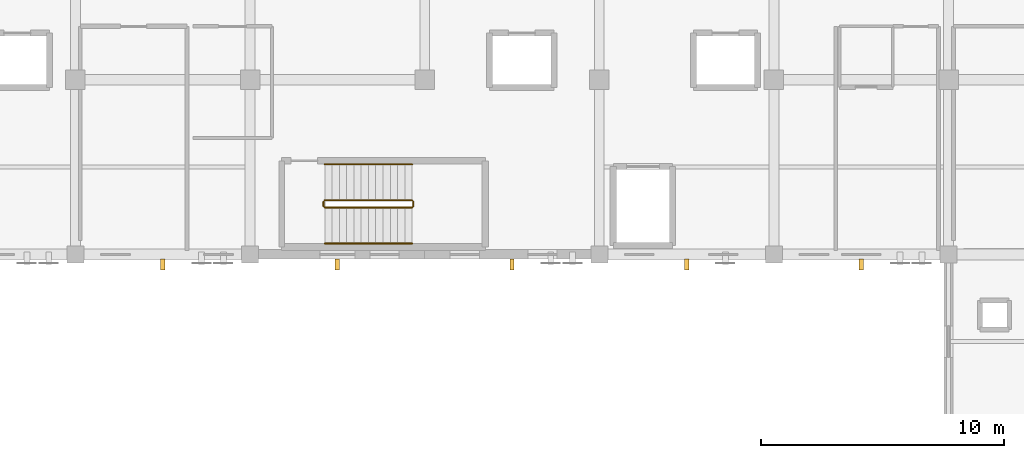
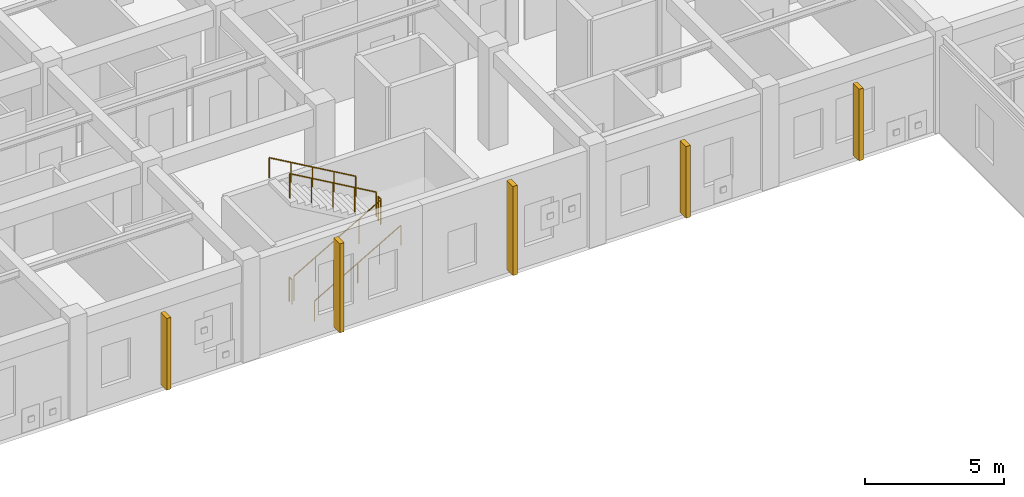
# One storey, part 101 of 106: 6 railings, 5 shading devices.
"""IFC4 building model written with IfcOpenShell, lengths in metres."""

from ifc_helpers import new_model, si_unit, direction, frame, origin, origin_2d, place, context, subcontext, project, spatial, rectangle, circle, extrude, material, layer, layer_set, type_object, element, save


model = new_model("IFC4")

# Units and contexts
model_context = context("Model", 3, precision=1e-05, world=origin(), true_north=direction((0.0, 1.0)))
body_context = subcontext(model_context, "Body", "Model", "MODEL_VIEW")
ifc_project = project(units=[si_unit("LENGTHUNIT", "METRE"), si_unit("AREAUNIT", "SQUARE_METRE"), si_unit("VOLUMEUNIT", "CUBIC_METRE"), si_unit("PLANEANGLEUNIT", "RADIAN"), si_unit("MASSUNIT", "GRAM", prefix="KILO")], contexts=[model_context])

# Site, building, storey
site_placement = place(None, origin())
site = spatial("IfcSite", under=ifc_project, at=site_placement, CompositionType="ELEMENT")
building_placement = place(site_placement, origin())
building = spatial("IfcBuilding", under=site, at=building_placement, Name="Carrowvane Square Congress Hotel", CompositionType="ELEMENT")
storey_placement = place(building_placement, frame((0.0, 0.0, 10.5)))
storey = spatial("IfcBuildingStorey", under=building, at=storey_placement, Name="L02", CompositionType="ELEMENT", Elevation=10.5)

# Railings
ifc_material_1 = material(Name="Stainless steel 316", Category="steel")
ifc_layer_1 = layer(ifc_material_1, 0.048095703125)
ifc_layer_set_1 = layer_set([ifc_layer_1], Name="Stainless steel 316")
railing_type_1 = type_object("IfcRailingType", Name="RLG-HR-900", PredefinedType="HANDRAIL", material=ifc_layer_set_1)
railing_1_placement = place(storey_placement, frame((101.080078125, 92.25, 0.173095703125)))
element("IfcRailing", 1, at=railing_1_placement, inside=storey, type_object=railing_type_1, Name="L02 ST3 stair handrail 1", PredefinedType="HANDRAIL", context=body_context, shape_type="SweptSolid", body=[
    extrude(circle(Radius=0.02392578125, at=origin_2d()), frame((0.0, 0.0, 0.8759765625), z_axis=(0.866178740119, 0.0, 0.499734319579), x_axis=(0.0, 1.0, 0.0)), (0.0, 0.0, 1.0), 4.156005859375),
    extrude(circle(Radius=0.02099609375, at=origin_2d()), origin(), (0.0, 0.0, 1.0), 0.851806640625),
    extrude(circle(Radius=0.02099609375, at=origin_2d()), frame((0.89990234375, 0.0, 0.519287109375)), (0.0, 0.0, 1.0), 0.851806640625),
    extrude(circle(Radius=0.02099609375, at=origin_2d()), frame((1.7998046875, 0.0, 1.03857421875)), (0.0, 0.0, 1.0), 0.851806640625),
    extrude(circle(Radius=0.02099609375, at=origin_2d()), frame((2.699951171875, 0.0, 1.5576171875)), (0.0, 0.0, 1.0), 0.851806640625),
    extrude(circle(Radius=0.02099609375, at=origin_2d()), frame((3.599853515625, 0.0, 2.076904296875)), (0.0, 0.0, 1.0), 0.851806640625),
])
railing_2_placement = place(storey_placement, frame((104.679931640625, 95.510009765625, 2.423095703125)))
element("IfcRailing", 2, at=railing_2_placement, inside=storey, type_object=railing_type_1, Name="L02 ST3 stair handrail 2", PredefinedType="HANDRAIL", context=body_context, shape_type="SweptSolid", body=[
    extrude(circle(Radius=0.02392578125, at=origin_2d()), frame((0.0, 0.0, 0.8759765625), z_axis=(-0.866178740119, 0.0, 0.499734319579), x_axis=(0.0, -1.0, 0.0)), (0.0, 0.0, 1.0), 4.156005859375),
    extrude(circle(Radius=0.02099609375, at=origin_2d()), origin(), (0.0, 0.0, 1.0), 0.851806640625),
    extrude(circle(Radius=0.02099609375, at=origin_2d()), frame((-0.89990234375, 0.0, 0.519287109375)), (0.0, 0.0, 1.0), 0.851806640625),
    extrude(circle(Radius=0.02099609375, at=origin_2d()), frame((-1.7998046875, 0.0, 1.03857421875)), (0.0, 0.0, 1.0), 0.851806640625),
    extrude(circle(Radius=0.02099609375, at=origin_2d()), frame((-2.699951171875, 0.0, 1.5576171875)), (0.0, 0.0, 1.0), 0.851806640625),
    extrude(circle(Radius=0.02099609375, at=origin_2d()), frame((-3.599853515625, 0.0, 2.076904296875)), (0.0, 0.0, 1.0), 0.851806640625),
])
ifc_material_2 = material(Name="Galvanised steel", Category="steel")
ifc_layer_2 = layer(ifc_material_2, 0.048095703125)
ifc_layer_set_2 = layer_set([ifc_layer_2], Name="Galvanised steel")
railing_type_2 = type_object("IfcRailingType", Name="RLG-STG-1100", PredefinedType="GUARDRAIL", material=ifc_layer_set_2)
railing_3_placement = place(storey_placement, frame((101.080078125, 93.72998046875, 0.173095703125)))
element("IfcRailing", 3, at=railing_3_placement, inside=storey, type_object=railing_type_2, Name="L02 ST3 stair guard 1", PredefinedType="GUARDRAIL", context=body_context, shape_type="SweptSolid", body=[
    extrude(circle(Radius=0.02392578125, at=origin_2d()), frame((0.0, 0.0, 1.076171875), z_axis=(0.866178740119, 0.0, 0.499734319579), x_axis=(0.0, 1.0, 0.0)), (0.0, 0.0, 1.0), 4.156005859375),
    extrude(circle(Radius=0.02099609375, at=origin_2d()), origin(), (0.0, 0.0, 1.0), 1.052001953125),
    extrude(circle(Radius=0.02099609375, at=origin_2d()), frame((0.89990234375, 0.0, 0.519287109375)), (0.0, 0.0, 1.0), 1.052001953125),
    extrude(circle(Radius=0.02099609375, at=origin_2d()), frame((1.7998046875, 0.0, 1.03857421875)), (0.0, 0.0, 1.0), 1.052001953125),
    extrude(circle(Radius=0.02099609375, at=origin_2d()), frame((2.699951171875, 0.0, 1.5576171875)), (0.0, 0.0, 1.0), 1.052001953125),
    extrude(circle(Radius=0.02099609375, at=origin_2d()), frame((3.599853515625, 0.0, 2.076904296875)), (0.0, 0.0, 1.0), 1.052001953125),
])
railing_4_placement = place(storey_placement, frame((104.72998046875, 93.780029296875, 2.25)))
element("IfcRailing", 4, at=railing_4_placement, inside=storey, type_object=railing_type_2, Name="L02 ST3 stair guard 2", PredefinedType="GUARDRAIL", context=body_context, shape_type="SweptSolid", body=[
    extrude(circle(Radius=0.02392578125, at=origin_2d()), frame((0.0, 0.0, 1.076171875), z_axis=(0.0, 1.0, 0.0), x_axis=(-1.0, 0.0, 0.0)), (0.0, 0.0, 1.0), 0.199951171875),
    extrude(circle(Radius=0.02099609375, at=origin_2d()), origin(), (0.0, 0.0, 1.0), 1.052001953125),
    extrude(circle(Radius=0.02099609375, at=origin_2d()), frame((0.0, 0.199951171875, 0.0)), (0.0, 0.0, 1.0), 1.052001953125),
])
railing_5_placement = place(storey_placement, frame((104.679931640625, 94.030029296875, 2.423095703125)))
element("IfcRailing", 5, at=railing_5_placement, inside=storey, type_object=railing_type_2, Name="L02 ST3 stair guard 3", PredefinedType="GUARDRAIL", context=body_context, shape_type="SweptSolid", body=[
    extrude(circle(Radius=0.02392578125, at=origin_2d()), frame((0.0, 0.0, 1.076171875), z_axis=(-0.866178740119, 0.0, 0.499734319579), x_axis=(0.0, -1.0, 0.0)), (0.0, 0.0, 1.0), 4.156005859375),
    extrude(circle(Radius=0.02099609375, at=origin_2d()), origin(), (0.0, 0.0, 1.0), 1.052001953125),
    extrude(circle(Radius=0.02099609375, at=origin_2d()), frame((-0.89990234375, 0.0, 0.519287109375)), (0.0, 0.0, 1.0), 1.052001953125),
    extrude(circle(Radius=0.02099609375, at=origin_2d()), frame((-1.7998046875, 0.0, 1.03857421875)), (0.0, 0.0, 1.0), 1.052001953125),
    extrude(circle(Radius=0.02099609375, at=origin_2d()), frame((-2.699951171875, 0.0, 1.5576171875)), (0.0, 0.0, 1.0), 1.052001953125),
    extrude(circle(Radius=0.02099609375, at=origin_2d()), frame((-3.599853515625, 0.0, 2.076904296875)), (0.0, 0.0, 1.0), 1.052001953125),
])
railing_6_placement = place(storey_placement, frame((101.030029296875, 93.780029296875, 0.0)))
element("IfcRailing", 6, at=railing_6_placement, inside=storey, type_object=railing_type_2, Name="L02 ST3 stair guard 4", PredefinedType="GUARDRAIL", context=body_context, shape_type="SweptSolid", body=[
    extrude(circle(Radius=0.02392578125, at=origin_2d()), frame((0.0, 0.0, 1.076171875), z_axis=(0.0, 1.0, 0.0), x_axis=(-1.0, 0.0, 0.0)), (0.0, 0.0, 1.0), 0.199951171875),
    extrude(circle(Radius=0.02099609375, at=origin_2d()), origin(), (0.0, 0.0, 1.0), 1.052001953125),
    extrude(circle(Radius=0.02099609375, at=origin_2d()), frame((0.0, 0.199951171875, 0.0)), (0.0, 0.0, 1.0), 1.052001953125),
])

# Shading devices
ifc_material_3 = material(Name="Portland limestone cladding", Category="masonry")
shading_device_type = type_object("IfcShadingDeviceType", Name="SHD-FIN-LS", PredefinedType="USERDEFINED", material=ifc_material_3)
for number, where, z_axis, x_axis, name in (
    (7, (123.199951171875, 91.389892578125, 0.14990234375), (0.0, 0.0, 1.0), (-1.0, 0.0, 0.0), "Limestone brise-soleil fin 7"),
    (8, (116.0, 91.389892578125, 0.14990234375), (0.0, 0.0, 1.0), (-1.0, 0.0, 0.0), "Limestone brise-soleil fin 8"),
):
    element("IfcShadingDevice", number, at=place(storey_placement, frame(where, z_axis=z_axis, x_axis=x_axis)), inside=storey, type_object=shading_device_type, Name=name, ObjectType="FIN", PredefinedType="USERDEFINED", context=body_context, shape_type="SweptSolid", body=[
        extrude(rectangle(XDim=0.179931640625, YDim=0.449951171875, at=origin_2d()), origin(), (0.0, 0.0, 1.0), 3.155029296875),
    ])
for number, where, z_axis, x_axis, name in (
    (9, (108.800048828125, 91.389892578125, 0.150146484375), (0.0, 0.0, 1.0), (-1.0, 0.0, 0.0), "Limestone brise-soleil fin 9"),
    (10, (101.60009765625, 91.389892578125, 0.150146484375), (0.0, 0.0, 1.0), (-1.0, 0.0, 0.0), "Limestone brise-soleil fin 10"),
):
    element("IfcShadingDevice", number, at=place(storey_placement, frame(where, z_axis=z_axis, x_axis=x_axis)), inside=storey, type_object=shading_device_type, Name=name, ObjectType="FIN", PredefinedType="USERDEFINED", context=body_context, shape_type="SweptSolid", body=[
        extrude(rectangle(XDim=0.179931640625, YDim=0.449951171875, at=origin_2d()), origin(), (0.0, 0.0, 1.0), 3.919921875),
    ])
shading_device_placement = place(storey_placement, frame((94.39990234375, 91.389892578125, 0.14990234375), z_axis=(0.0, 0.0, 1.0), x_axis=(-1.0, 0.0, 0.0)))
element("IfcShadingDevice", 11, at=shading_device_placement, inside=storey, type_object=shading_device_type, Name="Limestone brise-soleil fin 11", ObjectType="FIN", PredefinedType="USERDEFINED", context=body_context, shape_type="SweptSolid", body=[
    extrude(rectangle(XDim=0.179931640625, YDim=0.449951171875, at=origin_2d()), origin(), (0.0, 0.0, 1.0), 3.155029296875),
])

save(model, "model.ifc")
